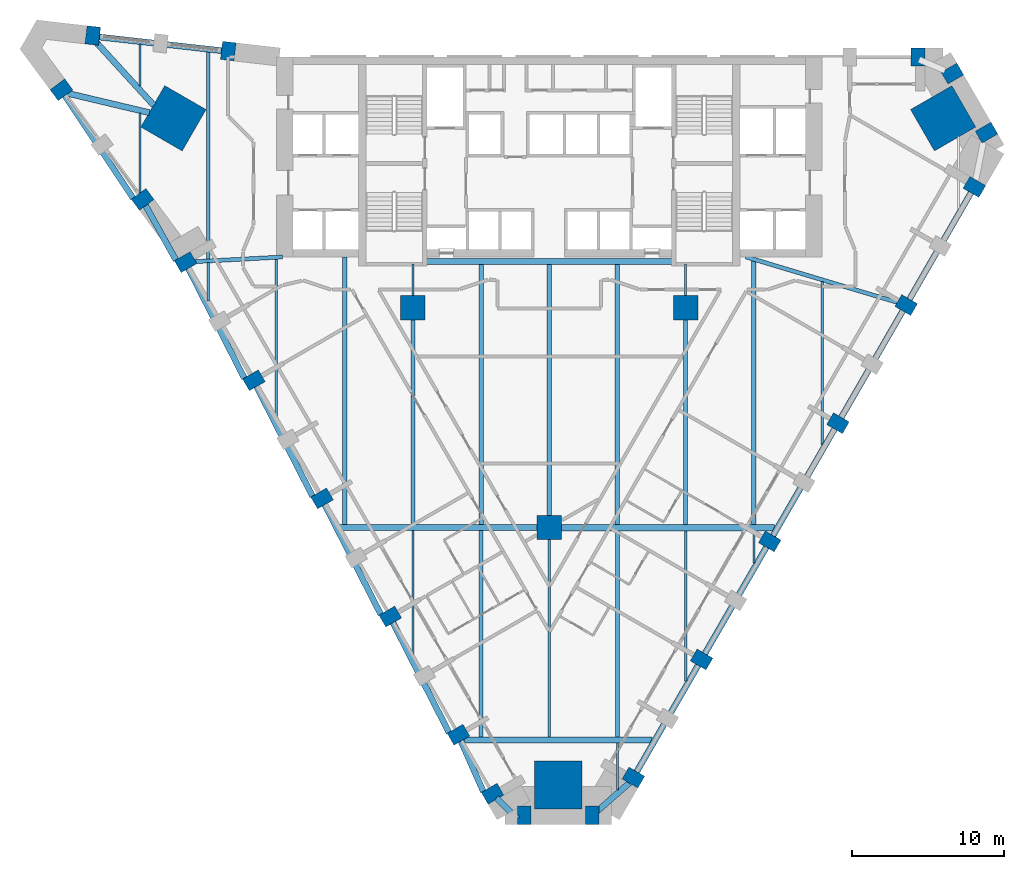
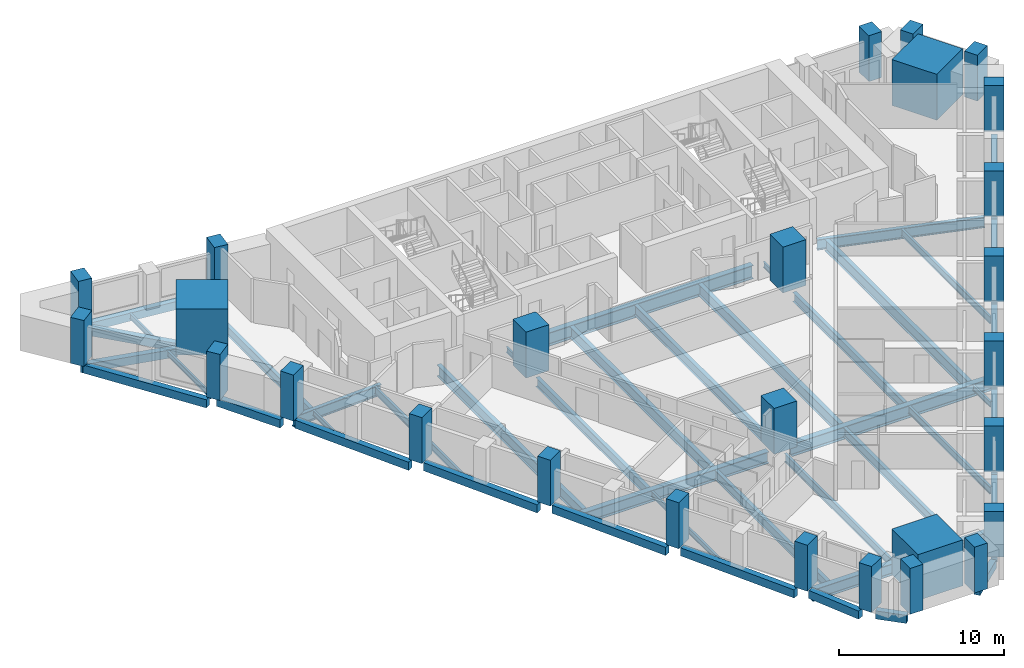
# One storey, part 1 of 10: 45 beams, 27 columns.
"""IFC4 building model written with IfcOpenShell, lengths in metres."""

import ifcopenshell
import ifcopenshell.guid

model = None  # the IFC model being written
_history = None  # IfcOwnerHistory: only IFC2X3 demands one
_inside = {}  # id of a spatial element -> (the spatial element, [elements in it])
_under = {}  # id of a project, library or spatial element -> (it, [spatial elements below it])
_declared = {}  # id of a project -> (the project, [libraries it declares])
_typed = {}  # id of a type object -> (the type object, [elements of that type])
_made_of = {}  # id of a material, layer set ... -> (it, [elements and type objects made of it])


def new_model(schema):
    """Start an empty IFC model of exactly this schema.

    Asked for "IFC4X3", IfcOpenShell would pick the latest addendum, in which some entities
    have other attributes; the version numbers below select the first issue.
    IFC2X3 requires an IfcOwnerHistory on every rooted entity: one is made here for all.
    """
    global model, _history
    if schema == "IFC4X3":
        model = ifcopenshell.file(schema_version=(4, 3, 0, 0))
    else:
        model = ifcopenshell.file(schema=schema)
    _inside.clear()
    _under.clear()
    _declared.clear()
    _typed.clear()
    _made_of.clear()
    _history = None
    if model.schema == "IFC2X3":
        org = make("IfcOrganization", Name="unknown")
        user = make(
            "IfcPersonAndOrganization",
            ThePerson=make("IfcPerson", FamilyName="unknown"),
            TheOrganization=org,
        )
        app = make(
            "IfcApplication",
            ApplicationDeveloper=org,
            Version="unknown",
            ApplicationFullName="unknown",
            ApplicationIdentifier="unknown",
        )
        _history = make(
            "IfcOwnerHistory",
            OwningUser=user,
            OwningApplication=app,
            ChangeAction="ADDED",
            CreationDate=0,
        )
    return model


def make(cls, **values):
    """One entity of the class cls with the attributes given. An attribute that is None is left unset."""
    return model.create_entity(
        cls, **{name: value for name, value in values.items() if value is not None}
    )


def rooted(cls, **values):
    """An entity with a GlobalId (a new one), such as an element, a storey or a relation."""
    return make(cls, GlobalId=ifcopenshell.guid.new(), OwnerHistory=_history, **values)


def si_unit(unit_type, name, prefix=None):
    """IfcSIUnit, for example si_unit("LENGTHUNIT", "METRE", prefix="MILLI")."""
    return make("IfcSIUnit", UnitType=unit_type, Prefix=prefix, Name=name)


def assignment(units):
    """IfcUnitAssignment: the units of a project."""
    return None if units is None else make("IfcUnitAssignment", Units=units)


def point(xyz):
    """IfcCartesianPoint."""
    return None if xyz is None else make("IfcCartesianPoint", Coordinates=xyz)


def direction(xyz):
    """IfcDirection."""
    return None if xyz is None else make("IfcDirection", DirectionRatios=xyz)


def frame(location, z_axis=None, x_axis=None):
    """IfcAxis2Placement3D, a coordinate frame: its origin and axes. An axis left out is left unset."""
    return make(
        "IfcAxis2Placement3D",
        Location=point(location),
        Axis=direction(z_axis),
        RefDirection=direction(x_axis),
    )


def frame_2d(location, x_axis=None):
    """IfcAxis2Placement2D, a coordinate frame in the plane: its origin and x axis."""
    return make(
        "IfcAxis2Placement2D", Location=point(location), RefDirection=direction(x_axis)
    )


def origin():
    """The frame at (0, 0, 0) with its axes left unset."""
    return frame((0.0, 0.0, 0.0))


def origin_2d():
    """The frame at (0, 0) in the plane with its x axis left unset."""
    return frame_2d((0.0, 0.0))


def place(relative_to, where):
    """IfcLocalPlacement: puts the frame where relative to a parent placement (None: the world)."""
    return make(
        "IfcLocalPlacement", PlacementRelTo=relative_to, RelativePlacement=where
    )


def context(
    kind, dimensions, precision=None, world=None, true_north=None, identifier=None
):
    """IfcGeometricRepresentationContext, for example the 3D "Model" context."""
    return make(
        "IfcGeometricRepresentationContext",
        ContextIdentifier=identifier,
        ContextType=kind,
        CoordinateSpaceDimension=dimensions,
        Precision=precision,
        WorldCoordinateSystem=world,
        TrueNorth=true_north,
    )


def subcontext(parent, identifier, kind, view, scale=None):
    """IfcGeometricRepresentationSubContext, for example "Body" below "Model"."""
    return make(
        "IfcGeometricRepresentationSubContext",
        ContextIdentifier=identifier,
        ContextType=kind,
        ParentContext=parent,
        TargetScale=scale,
        TargetView=view,
    )


def project(units=None, contexts=None):
    """IfcProject with its units and contexts."""
    return rooted(
        "IfcProject",
        Name="project",
        RepresentationContexts=contexts,
        UnitsInContext=assignment(units),
    )


def spatial(cls, under=None, at=None, **own):
    """A site, building, storey or space (cls), placed at a placement, below another one or the project."""
    s = rooted(cls, ObjectPlacement=at, **own)
    if under is not None:
        _under.setdefault(under.id(), (under, []))[1].append(s)
    return s


def profile(cls, at=None, kind="AREA", **sizes):
    """A parametric profile (cls). Its sizes go by their IFC names, for example OverallWidth=200.0."""
    return make(cls, ProfileType=kind, Position=at, **sizes)


def rectangle(**sizes):
    """IfcRectangleProfileDef."""
    return profile("IfcRectangleProfileDef", **sizes)


def i_section(**sizes):
    """IfcIShapeProfileDef."""
    return profile("IfcIShapeProfileDef", **sizes)


def extrude(swept, where, along, depth):
    """IfcExtrudedAreaSolid: the profile swept, set in the frame where, extruded along a direction by depth."""
    return make(
        "IfcExtrudedAreaSolid",
        SweptArea=swept,
        Position=where,
        ExtrudedDirection=direction(along),
        Depth=depth,
    )


def shape(context_of_items, identifier, shape_type, items):
    """IfcShapeRepresentation: the items that make up one representation, for example the "Body"."""
    return make(
        "IfcShapeRepresentation",
        ContextOfItems=context_of_items,
        RepresentationIdentifier=identifier,
        RepresentationType=shape_type,
        Items=items,
    )


def material(Name=None, Category=None):
    """IfcMaterial."""
    return make("IfcMaterial", Name=Name, Category=Category)


def material_profile(
    of_material, cross_section, Name=None, Category=None, Priority=None
):
    """IfcMaterialProfile: a cross section and its material."""
    return make(
        "IfcMaterialProfile",
        Name=Name,
        Material=of_material,
        Profile=cross_section,
        Priority=Priority,
        Category=Category,
    )


def profile_set(profiles, Name=None, composite=None):
    """IfcMaterialProfileSet."""
    return make(
        "IfcMaterialProfileSet",
        Name=Name,
        MaterialProfiles=profiles,
        CompositeProfile=composite,
    )


def made_of(thing, what):
    """Note that an element or type object is made of a material, layer set ...; save() writes the relation."""
    if what is not None:
        _made_of.setdefault(what.id(), (what, []))[1].append(thing)
    return thing


def type_object(cls, material=None, **own):
    """A type object (cls), such as IfcWallType, which elements share."""
    return made_of(rooted(cls, **own), material)


def element(
    cls,
    number,
    at=None,
    inside=None,
    cuts=None,
    type_object=None,
    material=None,
    context=None,
    identifier="Body",
    shape_type=None,
    held_by="IfcProductDefinitionShape",
    body=None,
    shapes=None,
    **own,
):
    """One element of the class cls, such as IfcWall. Its Tag is "e" and its number.

    at: its placement. inside: the storey or other place that contains it. cuts: it is an
    opening in that element (IfcRelVoidsElement). A single representation is given by context,
    identifier, shape_type and body (its items); several are given by shapes. held_by: the class
    of the entity that holds the representations. save() writes the other relations.
    """
    e = rooted(cls, Tag="e%d" % number, ObjectPlacement=at, **own)
    if body is not None:
        shapes = [shape(context, identifier, shape_type, body)]
    if shapes is not None:
        e.Representation = make(held_by, Representations=shapes)
    if inside is not None:
        _inside.setdefault(inside.id(), (inside, []))[1].append(e)
    if cuts is not None:
        rooted(
            "IfcRelVoidsElement", RelatingBuildingElement=cuts, RelatedOpeningElement=e
        )
    if type_object is not None:
        _typed.setdefault(type_object.id(), (type_object, []))[1].append(e)
    return made_of(e, material)


def aggregate(whole, parts):
    """IfcRelAggregates: a whole, such as a stair, and the parts it consists of."""
    return rooted("IfcRelAggregates", RelatingObject=whole, RelatedObjects=parts)


def save(model, path):
    """Write the relations noted so far, then the file.

    IfcRelAggregates (storeys below a building ...), IfcRelContainedInSpatialStructure (elements
    in a storey), IfcRelDefinesByType, IfcRelAssociatesMaterial and IfcRelDeclares: one each for
    every whole, place, type object, material and project.
    """
    for whole, parts in _under.values():
        aggregate(whole, parts)
    for where, things in _inside.values():
        rooted(
            "IfcRelContainedInSpatialStructure",
            RelatedElements=things,
            RelatingStructure=where,
        )
    for kind, things in _typed.values():
        rooted("IfcRelDefinesByType", RelatedObjects=things, RelatingType=kind)
    for what, things in _made_of.values():
        rooted("IfcRelAssociatesMaterial", RelatedObjects=things, RelatingMaterial=what)
    for by, libraries in _declared.values():
        rooted("IfcRelDeclares", RelatingContext=by, RelatedDefinitions=libraries)
    model.write(path)


model = new_model("IFC4")

# Units and contexts
model_context = context("Model", 3, precision=1e-05, world=origin(), true_north=direction((0.0, 1.0)))
body_context = subcontext(model_context, "Body", "Model", "MODEL_VIEW")
ifc_project = project(units=[si_unit("LENGTHUNIT", "METRE"), si_unit("AREAUNIT", "SQUARE_METRE"), si_unit("VOLUMEUNIT", "CUBIC_METRE"), si_unit("PLANEANGLEUNIT", "RADIAN"), si_unit("MASSUNIT", "GRAM", prefix="KILO")], contexts=[model_context])

# Site, building, storey
site_placement = place(None, origin())
site = spatial("IfcSite", under=ifc_project, at=site_placement, CompositionType="ELEMENT")
building_placement = place(site_placement, origin())
building = spatial("IfcBuilding", under=site, at=building_placement, Name="Calabash Gate Tower", CompositionType="ELEMENT")
storey_placement = place(building_placement, frame((0.0, 0.0, 69.800048828125)))
storey = spatial("IfcBuildingStorey", under=building, at=storey_placement, Name="L13", CompositionType="ELEMENT", Elevation=69.800048828125)

# Columns
ifc_material_1 = material(Name="Concrete C80/95", Category="concrete")
ifc_material_profile_1 = material_profile(ifc_material_1, rectangle(XDim=1.60009765625, YDim=1.60009765625, at=origin_2d()))
ifc_profile_set_1 = profile_set([ifc_material_profile_1], Name="Concrete C80/95")
column_type_1 = type_object("IfcColumnType", Name="Interior column RC 1600x1600 Concrete C80/95", PredefinedType="COLUMN", material=ifc_profile_set_1)
for number, where, z_axis, x_axis, name in (
    (1, (-9.0, 2.5, 0.0), (0.0, 0.0, 1.0), (1.0, 0.0, 0.0), "Interior column L13 I0"),
    (2, (9.0, 2.5, 0.0), (0.0, 0.0, 1.0), (1.0, 0.0, 0.0), "Interior column L13 I1"),
    (3, (0.0, -12.0, 0.0), (0.0, 0.0, 1.0), (1.0, 0.0, 0.0), "Interior column L13 I2"),
):
    element("IfcColumn", number, at=place(storey_placement, frame(where, z_axis=z_axis, x_axis=x_axis)), inside=storey, type_object=column_type_1, Name=name, PredefinedType="COLUMN", context=body_context, shape_type="SweptSolid", body=[
        extrude(rectangle(XDim=1.60009765625, YDim=1.60009765625, at=origin_2d()), origin(), (0.0, 0.0, 1.0), 3.39990234375),
    ])
ifc_material_2 = material(Name="Concrete C80/95", Category="concrete")
ifc_material_profile_2 = material_profile(ifc_material_2, rectangle(XDim=3.14990234375, YDim=3.14990234375, at=origin_2d()))
ifc_profile_set_2 = profile_set([ifc_material_profile_2], Name="Concrete C80/95")
column_type_2 = type_object("IfcColumnType", Name="Mega column RC 3150x3150 Concrete C80/95", PredefinedType="COLUMN", material=ifc_profile_set_2)
for number, where, z_axis, x_axis, name in (
    (4, (-24.79296875, 15.00390625, 0.0), (0.0, 0.0, 1.0), (0.866025412511, -0.499999984885, 0.0), "Mega column L13 NW"),
    (5, (25.988037109375, 15.00390625, 0.0), (0.0, 0.0, 1.0), (-0.866025412511, -0.499999984885, 0.0), "Mega column L13 NE"),
    (6, (0.596923828125, -28.972900390625, 0.0), (0.0, 0.0, 1.0), (0.0, 1.0, 0.0), "Mega column L13 S"),
):
    element("IfcColumn", number, at=place(storey_placement, frame(where, z_axis=z_axis, x_axis=x_axis)), inside=storey, type_object=column_type_2, Name=name, PredefinedType="COLUMN", context=body_context, shape_type="SweptSolid", body=[
        extrude(rectangle(XDim=3.14990234375, YDim=3.14990234375, at=origin_2d()), origin(), (0.0, 0.0, 1.0), 3.39990234375),
    ])
ifc_material_3 = material(Name="Concrete C70/85", Category="concrete")
ifc_material_profile_3 = material_profile(ifc_material_3, rectangle(XDim=0.89990234375, YDim=1.199951171875, at=origin_2d()))
ifc_profile_set_3 = profile_set([ifc_material_profile_3], Name="Concrete C70/85")
column_type_3 = type_object("IfcColumnType", Name="Perimeter column RC 900x1200 Concrete C70/85", PredefinedType="COLUMN", material=ifc_profile_set_3)
for number, where, z_axis, x_axis, name in (
    (7, (-23.989013671875, 5.512939453125, 0.0), (0.0, 0.0, 1.0), (0.5, -0.866025403784, 0.0), "Perimeter column L13 P00"),
    (8, (-19.489013671875, -2.281982421875, 0.0), (0.0, 0.0, 1.0), (0.5, -0.866025403784, 0.0), "Perimeter column L13 P01"),
    (9, (-14.989013671875, -10.075927734375, 0.0), (0.0, 0.0, 1.0), (0.5, -0.866025403784, 0.0), "Perimeter column L13 P02"),
    (10, (-10.489013671875, -17.8701171875, 0.0), (0.0, 0.0, 1.0), (0.5, -0.866025403784, 0.0), "Perimeter column L13 P03"),
    (11, (-5.989013671875, -25.6640625, 0.0), (0.0, 0.0, 1.0), (0.5, -0.866025403784, 0.0), "Perimeter column L13 P04"),
    (12, (-3.739013671875, -29.56103515625, 0.0), (0.0, 0.0, 1.0), (0.5, -0.866025403784, 0.0), "Perimeter column L13 P05"),
    (13, (-1.653076171875, -30.97705078125, 0.0), (0.0, 0.0, 1.0), (1.0, 0.0, 0.0), "Perimeter column L13 P06"),
    (14, (2.846923828125, -30.97705078125, 0.0), (0.0, 0.0, 1.0), (1.0, 0.0, 0.0), "Perimeter column L13 P07"),
    (15, (5.548095703125, -28.492919921875, 0.0), (0.0, 0.0, 1.0), (0.5, 0.866025403784, 0.0), "Perimeter column L13 P08"),
    (16, (10.048095703125, -20.700927734375, 0.0), (0.0, 0.0, 1.0), (0.5, 0.866025403784, 0.0), "Perimeter column L13 P09"),
    (17, (14.548095703125, -12.906982421875, 0.0), (0.0, 0.0, 1.0), (0.5, 0.866025403784, 0.0), "Perimeter column L13 P10"),
    (18, (19.048095703125, -5.112060546875, 0.0), (0.0, 0.0, 1.0), (0.5, 0.866025403784, 0.0), "Perimeter column L13 P11"),
    (19, (23.548095703125, 2.681884765625, 0.0), (0.0, 0.0, 1.0), (0.5, 0.866025403784, 0.0), "Perimeter column L13 P12"),
    (20, (28.048095703125, 10.47607421875, 0.0), (0.0, 0.0, 1.0), (0.5, 0.866025403784, 0.0), "Perimeter column L13 P13"),
    (21, (28.846923828125, 14.056884765625, 0.0), (0.0, 0.0, 1.0), (-0.5, 0.866025403784, 0.0), "Perimeter column L13 P14"),
    (22, (26.596923828125, 17.9541015625, 0.0), (0.0, 0.0, 1.0), (-0.5, 0.866025403784, 0.0), "Perimeter column L13 P15"),
    (23, (24.327880859375, 19.052978515625, 0.0), (0.0, 0.0, 1.0), (-1.0, 0.0, 0.0), "Perimeter column L13 P16"),
    (24, (-21.174072265625, 19.43798828125, 0.0), (0.0, 0.0, 1.0), (-0.993506319736, 0.113776942504, 0.0), "Perimeter column L13 P17"),
    (25, (-30.113037109375, 20.4619140625, 0.0), (0.0, 0.0, 1.0), (-0.993506319736, 0.113776942504, 0.0), "Perimeter column L13 P18"),
    (26, (-32.181884765625, 16.883056640625, 0.0), (0.0, 0.0, 1.0), (0.595286896465, -0.80351323007, 0.0), "Perimeter column L13 P19"),
    (27, (-26.823974609375, 9.65087890625, 0.0), (0.0, 0.0, 1.0), (0.595286896465, -0.80351323007, 0.0), "Perimeter column L13 P20"),
):
    element("IfcColumn", number, at=place(storey_placement, frame(where, z_axis=z_axis, x_axis=x_axis)), inside=storey, type_object=column_type_3, Name=name, PredefinedType="COLUMN", context=body_context, shape_type="SweptSolid", body=[
        extrude(rectangle(XDim=0.89990234375, YDim=1.199951171875, at=origin_2d()), origin(), (0.0, 0.0, 1.0), 3.39990234375),
    ])

# Beams
ifc_material_4 = material(Name="Concrete C60/75", Category="concrete")
ifc_material_profile_4 = material_profile(ifc_material_4, rectangle(XDim=0.39990234375, YDim=0.60009765625, at=origin_2d()))
ifc_profile_set_4 = profile_set([ifc_material_profile_4], Name="Concrete C60/75")
beam_type_1 = type_object("IfcBeamType", Name="Edge beam RC 400x600 Concrete C60/75", PredefinedType="BEAM", material=ifc_profile_set_4)
for number, where, z_axis, x_axis, name in (
    (28, (-19.343994140625, -2.623046875, -0.469970703125), (0.454454932148, -0.890769731551, 0.0), (0.890769731551, 0.454454932148, 0.0), "Edge beam L13 1"),
    (29, (-14.843994140625, -10.4169921875, -0.469970703125), (0.454454932148, -0.890769731551, 0.0), (0.890769731551, 0.454454932148, 0.0), "Edge beam L13 2"),
    (30, (-10.343994140625, -18.2109375, -0.469970703125), (0.454454932148, -0.890769731551, 0.0), (0.890769731551, 0.454454932148, 0.0), "Edge beam L13 3"),
):
    element("IfcBeam", number, at=place(storey_placement, frame(where, z_axis=z_axis, x_axis=x_axis)), inside=storey, type_object=beam_type_1, Name=name, PredefinedType="BEAM", context=body_context, shape_type="SweptSolid", body=[
        extrude(rectangle(XDim=0.39990234375, YDim=0.60009765625, at=origin_2d()), origin(), (0.0, 0.0, 1.0), 8.209716796875),
    ])
beam_1_placement = place(storey_placement, frame((-5.863037109375, -26.007080078125, -0.469970703125), z_axis=(0.406538543594, -0.913633631481, 0.0), x_axis=(0.913633631481, 0.406538543594, 0.0)))
element("IfcBeam", 31, at=beam_1_placement, inside=storey, type_object=beam_type_1, Name="Edge beam L13 4", PredefinedType="BEAM", context=body_context, shape_type="SweptSolid", body=[
    extrude(rectangle(XDim=0.39990234375, YDim=0.60009765625, at=origin_2d()), origin(), (0.0, 0.0, 1.0), 3.736572265625),
])
beam_2_placement = place(storey_placement, frame((-3.486083984375, -29.843017578125, -0.469970703125), z_axis=(0.714518251106, -0.699616801425, 0.0), x_axis=(0.699616801425, 0.714518251106, 0.0)))
element("IfcBeam", 32, at=beam_2_placement, inside=storey, type_object=beam_type_1, Name="Edge beam L13 5", PredefinedType="BEAM", context=body_context, shape_type="SweptSolid", body=[
    extrude(rectangle(XDim=0.39990234375, YDim=0.60009765625, at=origin_2d()), origin(), (0.0, 0.0, 1.0), 1.94970703125),
])
beam_3_placement = place(storey_placement, frame((2.97900390625, -30.867919921875, -0.469970703125), z_axis=(0.751719002131, 0.659483541747, 0.0), x_axis=(-0.659483541747, 0.751719002131, 0.0)))
element("IfcBeam", 33, at=beam_3_placement, inside=storey, type_object=beam_type_1, Name="Edge beam L13 6", PredefinedType="BEAM", context=body_context, shape_type="SweptSolid", body=[
    extrude(rectangle(XDim=0.39990234375, YDim=0.60009765625, at=origin_2d()), origin(), (0.0, 0.0, 1.0), 3.070556640625),
])
beam_4_placement = place(storey_placement, frame((5.616943359375, -28.3759765625, -0.469970703125), z_axis=(0.500025102917, 0.866010910123, 0.0), x_axis=(-0.866010910123, 0.500025102917, 0.0)))
element("IfcBeam", 34, at=beam_4_placement, inside=storey, type_object=beam_type_1, Name="Edge beam L13 7", PredefinedType="BEAM", context=body_context, shape_type="SweptSolid", body=[
    extrude(rectangle(XDim=0.39990234375, YDim=0.60009765625, at=origin_2d()), origin(), (0.0, 0.0, 1.0), 8.42578125),
])
beam_5_placement = place(storey_placement, frame((10.116943359375, -20.5810546875, -0.469970703125), z_axis=(0.499962374219, 0.86604712595, 0.0), x_axis=(-0.86604712595, 0.499962374219, 0.0)))
element("IfcBeam", 35, at=beam_5_placement, inside=storey, type_object=beam_type_1, Name="Edge beam L13 8", PredefinedType="BEAM", context=body_context, shape_type="SweptSolid", body=[
    extrude(rectangle(XDim=0.39990234375, YDim=0.60009765625, at=origin_2d()), origin(), (0.0, 0.0, 1.0), 8.427001953125),
])
beam_6_placement = place(storey_placement, frame((14.616943359375, -12.787109375, -0.469970703125), z_axis=(0.500012556128, 0.866018154379, 0.0), x_axis=(-0.866018154379, 0.500012556128, 0.0)))
element("IfcBeam", 36, at=beam_6_placement, inside=storey, type_object=beam_type_1, Name="Edge beam L13 9", PredefinedType="BEAM", context=body_context, shape_type="SweptSolid", body=[
    extrude(rectangle(XDim=0.39990234375, YDim=0.60009765625, at=origin_2d()), origin(), (0.0, 0.0, 1.0), 8.426025390625),
])
for number, where, z_axis, x_axis, name in (
    (37, (19.116943359375, -4.992919921875, -0.469970703125), (0.500025102917, 0.866010910123, 0.0), (-0.866010910123, 0.500025102917, 0.0), "Edge beam L13 10"),
    (38, (23.616943359375, 2.801025390625, -0.469970703125), (0.500025102917, 0.866010910123, 0.0), (-0.866010910123, 0.500025102917, 0.0), "Edge beam L13 11"),
):
    element("IfcBeam", number, at=place(storey_placement, frame(where, z_axis=z_axis, x_axis=x_axis)), inside=storey, type_object=beam_type_1, Name=name, PredefinedType="BEAM", context=body_context, shape_type="SweptSolid", body=[
        extrude(rectangle(XDim=0.39990234375, YDim=0.60009765625, at=origin_2d()), origin(), (0.0, 0.0, 1.0), 8.42578125),
    ])
beam_7_placement = place(storey_placement, frame((-21.60400390625, 19.466064453125, -0.469970703125), z_axis=(-0.99383590534, 0.110861144034, 0.0), x_axis=(-0.110861144034, -0.99383590534, 0.0)))
element("IfcBeam", 39, at=beam_7_placement, inside=storey, type_object=beam_type_1, Name="Edge beam L13 14", PredefinedType="BEAM", context=body_context, shape_type="SweptSolid", body=[
    extrude(rectangle(XDim=0.39990234375, YDim=0.60009765625, at=origin_2d()), origin(), (0.0, 0.0, 1.0), 8.731689453125),
])
beam_8_placement = place(storey_placement, frame((-30.27392578125, 20.43994140625, -0.469970703125), z_axis=(0.674455005986, -0.738315951947, 0.0), x_axis=(0.738315951947, 0.674455005986, 0.0)))
element("IfcBeam", 40, at=beam_8_placement, inside=storey, type_object=beam_type_1, Name="Edge beam L13 15", PredefinedType="BEAM", context=body_context, shape_type="SweptSolid", body=[
    extrude(rectangle(XDim=0.39990234375, YDim=0.60009765625, at=origin_2d()), origin(), (0.0, 0.0, 1.0), 6.204833984375),
])
beam_9_placement = place(storey_placement, frame((-26.37890625, 15.37109375, -0.469970703125), z_axis=(-0.972965084641, 0.230952254956, 0.0), x_axis=(-0.230952254956, -0.972965084641, 0.0)))
element("IfcBeam", 41, at=beam_9_placement, inside=storey, type_object=beam_type_1, Name="Edge beam L13 16", PredefinedType="BEAM", context=body_context, shape_type="SweptSolid", body=[
    extrude(rectangle(XDim=0.39990234375, YDim=0.60009765625, at=origin_2d()), origin(), (0.0, 0.0, 1.0), 6.009521484375),
])
beam_10_placement = place(storey_placement, frame((-32.1640625, 16.81103515625, -0.469970703125), z_axis=(0.554673741128, -0.832067930462, 0.0), x_axis=(0.832067930462, 0.554673741128, 0.0)))
element("IfcBeam", 42, at=beam_10_placement, inside=storey, type_object=beam_type_1, Name="Edge beam L13 17", PredefinedType="BEAM", context=body_context, shape_type="SweptSolid", body=[
    extrude(rectangle(XDim=0.39990234375, YDim=0.60009765625, at=origin_2d()), origin(), (0.0, 0.0, 1.0), 8.518798828125),
])
beam_11_placement = place(storey_placement, frame((-26.805908203125, 9.56396484375, -0.469970703125), z_axis=(0.486202249372, -0.873846309545, 0.0), x_axis=(0.873846309545, 0.486202249372, 0.0)))
element("IfcBeam", 43, at=beam_11_placement, inside=storey, type_object=beam_type_1, Name="Edge beam L13 18", PredefinedType="BEAM", context=body_context, shape_type="SweptSolid", body=[
    extrude(rectangle(XDim=0.39990234375, YDim=0.60009765625, at=origin_2d()), origin(), (0.0, 0.0, 1.0), 4.483642578125),
])
beam_12_placement = place(storey_placement, frame((-23.843994140625, 5.1708984375, -0.469970703125), z_axis=(0.454454932148, -0.890769731551, 0.0), x_axis=(0.890769731551, 0.454454932148, 0.0)))
element("IfcBeam", 44, at=beam_12_placement, inside=storey, type_object=beam_type_1, Name="Edge beam L13 19", PredefinedType="BEAM", context=body_context, shape_type="SweptSolid", body=[
    extrude(rectangle(XDim=0.39990234375, YDim=0.60009765625, at=origin_2d()), origin(), (0.0, 0.0, 1.0), 8.209716796875),
])
ifc_material_5 = material(Name="Steel ASTM A992 Gr50", Category="steel")
ifc_material_profile_5 = material_profile(ifc_material_5, i_section(OverallWidth=0.1396484375, OverallDepth=0.398681640625, WebThickness=0.00634765625, FlangeThickness=0.0087890625, FilletRadius=0.01025390625, at=origin_2d()))
ifc_profile_set_5 = profile_set([ifc_material_profile_5], Name="Steel ASTM A992 Gr50")
beam_type_2 = type_object("IfcBeamType", Name="Floor beam W16x26 ASTM A992 Gr50", PredefinedType="BEAM", material=ifc_profile_set_5)
beam_13_placement = place(storey_placement, frame((-27.0, 10.069091796875, -0.369140625), z_axis=(0.0, 1.0, 0.0), x_axis=(-1.0, 0.0, 0.0)))
element("IfcBeam", 45, at=beam_13_placement, inside=storey, type_object=beam_type_2, Name="Floor beam L13 1", PredefinedType="BEAM", context=body_context, shape_type="SweptSolid", body=[
    extrude(i_section(OverallWidth=0.1396484375, OverallDepth=0.398681640625, WebThickness=0.00634765625, FlangeThickness=0.0087890625, FilletRadius=0.01025390625, at=origin_2d()), origin(), (0.0, 0.0, 1.0), 5.267822265625),
])
beam_14_placement = place(storey_placement, frame((-27.0, 17.14111328125, -0.369140625), z_axis=(0.0, 1.0, 0.0), x_axis=(-1.0, 0.0, 0.0)))
element("IfcBeam", 46, at=beam_14_placement, inside=storey, type_object=beam_type_2, Name="Floor beam L13 2", PredefinedType="BEAM", context=body_context, shape_type="SweptSolid", body=[
    extrude(i_section(OverallWidth=0.1396484375, OverallDepth=0.398681640625, WebThickness=0.00634765625, FlangeThickness=0.0087890625, FilletRadius=0.01025390625, at=origin_2d()), origin(), (0.0, 0.0, 1.0), 2.755859375),
])
beam_15_placement = place(storey_placement, frame((-22.5, 2.9609375, -0.369140625), z_axis=(0.0, 1.0, 0.0), x_axis=(-1.0, 0.0, 0.0)))
element("IfcBeam", 47, at=beam_15_placement, inside=storey, type_object=beam_type_2, Name="Floor beam L13 3", PredefinedType="BEAM", context=body_context, shape_type="SweptSolid", body=[
    extrude(i_section(OverallWidth=0.1396484375, OverallDepth=0.398681640625, WebThickness=0.00634765625, FlangeThickness=0.0087890625, FilletRadius=0.01025390625, at=origin_2d()), origin(), (0.0, 0.0, 1.0), 2.52001953125),
])
beam_16_placement = place(storey_placement, frame((-9.0, -20.422119140625, -0.369140625), z_axis=(0.0, 1.0, 0.0), x_axis=(-1.0, 0.0, 0.0)))
element("IfcBeam", 48, at=beam_16_placement, inside=storey, type_object=beam_type_2, Name="Floor beam L13 7", PredefinedType="BEAM", context=body_context, shape_type="SweptSolid", body=[
    extrude(i_section(OverallWidth=0.1396484375, OverallDepth=0.398681640625, WebThickness=0.00634765625, FlangeThickness=0.0087890625, FilletRadius=0.01025390625, at=origin_2d()), origin(), (0.0, 0.0, 1.0), 8.22314453125),
])
beam_17_placement = place(storey_placement, frame((-9.0, 3.300048828125, -0.369140625), z_axis=(0.0, 1.0, 0.0), x_axis=(-1.0, 0.0, 0.0)))
element("IfcBeam", 49, at=beam_17_placement, inside=storey, type_object=beam_type_2, Name="Floor beam L13 9", PredefinedType="BEAM", context=body_context, shape_type="SweptSolid", body=[
    extrude(i_section(OverallWidth=0.1396484375, OverallDepth=0.398681640625, WebThickness=0.00634765625, FlangeThickness=0.0087890625, FilletRadius=0.01025390625, at=origin_2d()), origin(), (0.0, 0.0, 1.0), 2.10302734375),
])
beam_18_placement = place(storey_placement, frame((4.5, -29.301025390625, -0.369140625), z_axis=(0.0, 1.0, 0.0), x_axis=(-1.0, 0.0, 0.0)))
element("IfcBeam", 50, at=beam_18_placement, inside=storey, type_object=beam_type_2, Name="Floor beam L13 14", PredefinedType="BEAM", context=body_context, shape_type="SweptSolid", body=[
    extrude(i_section(OverallWidth=0.1396484375, OverallDepth=0.398681640625, WebThickness=0.00634765625, FlangeThickness=0.0087890625, FilletRadius=0.01025390625, at=origin_2d()), origin(), (0.0, 0.0, 1.0), 3.10205078125),
])
beam_19_placement = place(storey_placement, frame((9.0, 3.300048828125, -0.369140625), z_axis=(0.0, 1.0, 0.0), x_axis=(-1.0, 0.0, 0.0)))
element("IfcBeam", 51, at=beam_19_placement, inside=storey, type_object=beam_type_2, Name="Floor beam L13 19", PredefinedType="BEAM", context=body_context, shape_type="SweptSolid", body=[
    extrude(i_section(OverallWidth=0.1396484375, OverallDepth=0.398681640625, WebThickness=0.00634765625, FlangeThickness=0.0087890625, FilletRadius=0.01025390625, at=origin_2d()), origin(), (0.0, 0.0, 1.0), 2.10302734375),
])
beam_20_placement = place(storey_placement, frame((13.5, -14.333984375, -0.369140625), z_axis=(0.0, 1.0, 0.0), x_axis=(-1.0, 0.0, 0.0)))
element("IfcBeam", 52, at=beam_20_placement, inside=storey, type_object=beam_type_2, Name="Floor beam L13 20", PredefinedType="BEAM", context=body_context, shape_type="SweptSolid", body=[
    extrude(i_section(OverallWidth=0.1396484375, OverallDepth=0.398681640625, WebThickness=0.00634765625, FlangeThickness=0.0087890625, FilletRadius=0.01025390625, at=origin_2d()), origin(), (0.0, 0.0, 1.0), 2.1240234375),
])
ifc_material_6 = material(Name="Steel ASTM A992 Gr50", Category="steel")
ifc_material_profile_6 = material_profile(ifc_material_6, i_section(OverallWidth=0.166015625, OverallDepth=0.5283203125, WebThickness=0.009765625, FlangeThickness=0.013671875, FilletRadius=0.0126953125, at=origin_2d()))
ifc_profile_set_6 = profile_set([ifc_material_profile_6], Name="Steel ASTM A992 Gr50")
beam_type_3 = type_object("IfcBeamType", Name="Floor beam W21x50 ASTM A992 Gr50", PredefinedType="BEAM", material=ifc_profile_set_6)
beam_21_placement = place(storey_placement, frame((-18.0, -4.8330078125, -0.43408203125), z_axis=(0.0, 1.0, 0.0), x_axis=(-1.0, 0.0, 0.0)))
element("IfcBeam", 53, at=beam_21_placement, inside=storey, type_object=beam_type_3, Name="Floor beam L13 5", PredefinedType="BEAM", context=body_context, shape_type="SweptSolid", body=[
    extrude(i_section(OverallWidth=0.166015625, OverallDepth=0.5283203125, WebThickness=0.009765625, FlangeThickness=0.013671875, FilletRadius=0.0126953125, at=origin_2d()), origin(), (0.0, 0.0, 1.0), 10.553955078125),
])
beam_22_placement = place(storey_placement, frame((9.0, -22.12890625, -0.43408203125), z_axis=(0.0, 1.0, 0.0), x_axis=(-1.0, 0.0, 0.0)))
element("IfcBeam", 54, at=beam_22_placement, inside=storey, type_object=beam_type_3, Name="Floor beam L13 17", PredefinedType="BEAM", context=body_context, shape_type="SweptSolid", body=[
    extrude(i_section(OverallWidth=0.166015625, OverallDepth=0.5283203125, WebThickness=0.009765625, FlangeThickness=0.013671875, FilletRadius=0.0126953125, at=origin_2d()), origin(), (0.0, 0.0, 1.0), 9.9189453125),
])
beam_23_placement = place(storey_placement, frame((18.0, -6.5400390625, -0.43408203125), z_axis=(0.0, 1.0, 0.0), x_axis=(-1.0, 0.0, 0.0)))
element("IfcBeam", 55, at=beam_23_placement, inside=storey, type_object=beam_type_3, Name="Floor beam L13 22", PredefinedType="BEAM", context=body_context, shape_type="SweptSolid", body=[
    extrude(i_section(OverallWidth=0.166015625, OverallDepth=0.5283203125, WebThickness=0.009765625, FlangeThickness=0.013671875, FilletRadius=0.0126953125, at=origin_2d()), origin(), (0.0, 0.0, 1.0), 10.77197265625),
])
ifc_material_7 = material(Name="Steel ASTM A992 Gr50", Category="steel")
ifc_material_profile_7 = material_profile(ifc_material_7, i_section(OverallWidth=0.1787109375, OverallDepth=0.60205078125, WebThickness=0.010986328125, FlangeThickness=0.014892578125, FilletRadius=0.0126953125, at=origin_2d()))
ifc_profile_set_7 = profile_set([ifc_material_profile_7], Name="Steel ASTM A992 Gr50")
beam_type_4 = type_object("IfcBeamType", Name="Floor beam W24x62 ASTM A992 Gr50", PredefinedType="BEAM", material=ifc_profile_set_7)
beam_24_placement = place(storey_placement, frame((0.0, -25.801025390625, -0.470947265625), z_axis=(0.0, 1.0, 0.0), x_axis=(-1.0, 0.0, 0.0)))
element("IfcBeam", 56, at=beam_24_placement, inside=storey, type_object=beam_type_4, Name="Floor beam L13 12", PredefinedType="BEAM", context=body_context, shape_type="SweptSolid", body=[
    extrude(i_section(OverallWidth=0.1787109375, OverallDepth=0.60205078125, WebThickness=0.010986328125, FlangeThickness=0.014892578125, FilletRadius=0.0126953125, at=origin_2d()), origin(), (0.0, 0.0, 1.0), 13.0009765625),
])
ifc_material_8 = material(Name="Steel ASTM A992 Gr50", Category="steel")
ifc_material_profile_8 = material_profile(ifc_material_8, i_section(OverallWidth=0.25390625, OverallDepth=0.67822265625, WebThickness=0.01171875, FlangeThickness=0.016357421875, FilletRadius=0.01513671875, at=origin_2d()))
ifc_profile_set_8 = profile_set([ifc_material_profile_8], Name="Steel ASTM A992 Gr50")
beam_type_5 = type_object("IfcBeamType", Name="Floor beam W27x84 ASTM A992 Gr50", PredefinedType="BEAM", material=ifc_profile_set_8)
beam_25_placement = place(storey_placement, frame((-22.5, 5.7041015625, -0.509033203125), z_axis=(0.0, 1.0, 0.0), x_axis=(-1.0, 0.0, 0.0)))
element("IfcBeam", 57, at=beam_25_placement, inside=storey, type_object=beam_type_5, Name="Floor beam L13 4", PredefinedType="BEAM", context=body_context, shape_type="SweptSolid", body=[
    extrude(i_section(OverallWidth=0.25390625, OverallDepth=0.67822265625, WebThickness=0.01171875, FlangeThickness=0.016357421875, FilletRadius=0.01513671875, at=origin_2d()), origin(), (0.0, 0.0, 1.0), 13.6748046875),
])
beam_26_placement = place(storey_placement, frame((-9.0, -11.801025390625, -0.509033203125), z_axis=(0.0, 1.0, 0.0), x_axis=(-1.0, 0.0, 0.0)))
element("IfcBeam", 58, at=beam_26_placement, inside=storey, type_object=beam_type_5, Name="Floor beam L13 8", PredefinedType="BEAM", context=body_context, shape_type="SweptSolid", body=[
    extrude(i_section(OverallWidth=0.25390625, OverallDepth=0.67822265625, WebThickness=0.01171875, FlangeThickness=0.016357421875, FilletRadius=0.01513671875, at=origin_2d()), origin(), (0.0, 0.0, 1.0), 13.5009765625),
])
beam_27_placement = place(storey_placement, frame((-4.5, -25.801025390625, -0.509033203125), z_axis=(0.0, 1.0, 0.0), x_axis=(-1.0, 0.0, 0.0)))
element("IfcBeam", 59, at=beam_27_placement, inside=storey, type_object=beam_type_5, Name="Floor beam L13 10", PredefinedType="BEAM", context=body_context, shape_type="SweptSolid", body=[
    extrude(i_section(OverallWidth=0.25390625, OverallDepth=0.67822265625, WebThickness=0.01171875, FlangeThickness=0.016357421875, FilletRadius=0.01513671875, at=origin_2d()), origin(), (0.0, 0.0, 1.0), 13.60205078125),
])
beam_28_placement = place(storey_placement, frame((4.5, -25.801025390625, -0.509033203125), z_axis=(0.0, 1.0, 0.0), x_axis=(-1.0, 0.0, 0.0)))
element("IfcBeam", 60, at=beam_28_placement, inside=storey, type_object=beam_type_5, Name="Floor beam L13 15", PredefinedType="BEAM", context=body_context, shape_type="SweptSolid", body=[
    extrude(i_section(OverallWidth=0.25390625, OverallDepth=0.67822265625, WebThickness=0.01171875, FlangeThickness=0.016357421875, FilletRadius=0.01513671875, at=origin_2d()), origin(), (0.0, 0.0, 1.0), 13.591064453125),
])
beam_29_placement = place(storey_placement, frame((9.0, -11.7900390625, -0.509033203125), z_axis=(0.0, 1.0, 0.0), x_axis=(-1.0, 0.0, 0.0)))
element("IfcBeam", 61, at=beam_29_placement, inside=storey, type_object=beam_type_5, Name="Floor beam L13 18", PredefinedType="BEAM", context=body_context, shape_type="SweptSolid", body=[
    extrude(i_section(OverallWidth=0.25390625, OverallDepth=0.67822265625, WebThickness=0.01171875, FlangeThickness=0.016357421875, FilletRadius=0.01513671875, at=origin_2d()), origin(), (0.0, 0.0, 1.0), 13.489990234375),
])
ifc_material_9 = material(Name="Steel ASTM A992 Gr50", Category="steel")
ifc_material_profile_9 = material_profile(ifc_material_9, i_section(OverallWidth=0.2666015625, OverallDepth=0.7568359375, WebThickness=0.013916015625, FlangeThickness=0.019287109375, FilletRadius=0.0166015625, at=origin_2d()))
ifc_profile_set_9 = profile_set([ifc_material_profile_9], Name="Steel ASTM A992 Gr50")
beam_type_6 = type_object("IfcBeamType", Name="Floor beam W30x108 ASTM A992 Gr50", PredefinedType="BEAM", material=ifc_profile_set_9)
beam_30_placement = place(storey_placement, frame((0.0, -11.199951171875, -0.548095703125), z_axis=(0.0, 1.0, 0.0), x_axis=(-1.0, 0.0, 0.0)))
element("IfcBeam", 62, at=beam_30_placement, inside=storey, type_object=beam_type_6, Name="Floor beam L13 13", PredefinedType="BEAM", context=body_context, shape_type="SweptSolid", body=[
    extrude(i_section(OverallWidth=0.2666015625, OverallDepth=0.7568359375, WebThickness=0.013916015625, FlangeThickness=0.019287109375, FilletRadius=0.0166015625, at=origin_2d()), origin(), (0.0, 0.0, 1.0), 16.552001953125),
])
ifc_material_10 = material(Name="Steel ASTM A992 Gr50", Category="steel")
ifc_material_profile_10 = material_profile(ifc_material_10, i_section(OverallWidth=0.2919921875, OverallDepth=0.845703125, WebThickness=0.015380859375, FlangeThickness=0.0244140625, FilletRadius=0.017822265625, at=origin_2d()))
ifc_profile_set_10 = profile_set([ifc_material_profile_10], Name="Steel ASTM A992 Gr50")
beam_type_7 = type_object("IfcBeamType", Name="Floor beam W33x141 ASTM A992 Gr50", PredefinedType="BEAM", material=ifc_profile_set_10)
beam_31_placement = place(storey_placement, frame((-13.5, -11.801025390625, -0.593017578125), z_axis=(0.0, 1.0, 0.0), x_axis=(-1.0, 0.0, 0.0)))
element("IfcBeam", 63, at=beam_31_placement, inside=storey, type_object=beam_type_7, Name="Floor beam L13 6", PredefinedType="BEAM", context=body_context, shape_type="SweptSolid", body=[
    extrude(i_section(OverallWidth=0.2919921875, OverallDepth=0.845703125, WebThickness=0.015380859375, FlangeThickness=0.0244140625, FilletRadius=0.017822265625, at=origin_2d()), origin(), (0.0, 0.0, 1.0), 17.654052734375),
])
beam_32_placement = place(storey_placement, frame((-4.5, -11.801025390625, -0.593017578125), z_axis=(0.0, 1.0, 0.0), x_axis=(-1.0, 0.0, 0.0)))
element("IfcBeam", 64, at=beam_32_placement, inside=storey, type_object=beam_type_7, Name="Floor beam L13 11", PredefinedType="BEAM", context=body_context, shape_type="SweptSolid", body=[
    extrude(i_section(OverallWidth=0.2919921875, OverallDepth=0.845703125, WebThickness=0.015380859375, FlangeThickness=0.0244140625, FilletRadius=0.017822265625, at=origin_2d()), origin(), (0.0, 0.0, 1.0), 17.153076171875),
])
beam_33_placement = place(storey_placement, frame((4.5, -11.7900390625, -0.593017578125), z_axis=(0.0, 1.0, 0.0), x_axis=(-1.0, 0.0, 0.0)))
element("IfcBeam", 65, at=beam_33_placement, inside=storey, type_object=beam_type_7, Name="Floor beam L13 16", PredefinedType="BEAM", context=body_context, shape_type="SweptSolid", body=[
    extrude(i_section(OverallWidth=0.2919921875, OverallDepth=0.845703125, WebThickness=0.015380859375, FlangeThickness=0.0244140625, FilletRadius=0.017822265625, at=origin_2d()), origin(), (0.0, 0.0, 1.0), 17.14208984375),
])
beam_34_placement = place(storey_placement, frame((13.5, -11.7900390625, -0.593017578125), z_axis=(0.0, 1.0, 0.0), x_axis=(-1.0, 0.0, 0.0)))
element("IfcBeam", 66, at=beam_34_placement, inside=storey, type_object=beam_type_7, Name="Floor beam L13 21", PredefinedType="BEAM", context=body_context, shape_type="SweptSolid", body=[
    extrude(i_section(OverallWidth=0.2919921875, OverallDepth=0.845703125, WebThickness=0.015380859375, FlangeThickness=0.0244140625, FilletRadius=0.017822265625, at=origin_2d()), origin(), (0.0, 0.0, 1.0), 17.3740234375),
])
ifc_material_11 = material(Name="Steel ASTM A992 Gr50", Category="steel")
ifc_material_profile_11 = material_profile(ifc_material_11, i_section(OverallWidth=0.2666015625, OverallDepth=0.77978515625, WebThickness=0.0166015625, FlangeThickness=0.030029296875, FilletRadius=0.0166015625, at=origin_2d()))
ifc_profile_set_11 = profile_set([ifc_material_profile_11], Name="Steel ASTM A992 Gr50")
beam_type_8 = type_object("IfcBeamType", Name="Girder W30x148 ASTM A992 Gr50", PredefinedType="BEAM", material=ifc_profile_set_11)
beam_35_placement = place(storey_placement, frame((-23.907958984375, 5.51708984375, -0.56005859375), z_axis=(0.998581570608, 0.053243279787, 0.0), x_axis=(-0.053243279787, 0.998581570608, 0.0)))
element("IfcBeam", 67, at=beam_35_placement, inside=storey, type_object=beam_type_8, Name="Girder L13 2", PredefinedType="BEAM", context=body_context, shape_type="SweptSolid", body=[
    extrude(i_section(OverallWidth=0.2666015625, OverallDepth=0.77978515625, WebThickness=0.0166015625, FlangeThickness=0.030029296875, FilletRadius=0.0166015625, at=origin_2d()), origin(), (0.0, 0.0, 1.0), 6.327880859375),
])
beam_36_placement = place(storey_placement, frame((22.97900390625, 2.85302734375, -0.56005859375), z_axis=(-0.957675094777, 0.287851372836, 0.0), x_axis=(-0.287851372836, -0.957675094777, 0.0)))
element("IfcBeam", 68, at=beam_36_placement, inside=storey, type_object=beam_type_8, Name="Girder L13 3", PredefinedType="BEAM", context=body_context, shape_type="SweptSolid", body=[
    extrude(i_section(OverallWidth=0.2666015625, OverallDepth=0.77978515625, WebThickness=0.0166015625, FlangeThickness=0.030029296875, FilletRadius=0.0166015625, at=origin_2d()), origin(), (0.0, 0.0, 1.0), 10.453369140625),
])
ifc_material_12 = material(Name="Steel ASTM A992 Gr50", Category="steel")
ifc_material_profile_12 = material_profile(ifc_material_12, i_section(OverallWidth=0.398681640625, OverallDepth=0.85595703125, WebThickness=0.018310546875, FlangeThickness=0.029296875, FilletRadius=0.02001953125, at=origin_2d()))
ifc_profile_set_12 = profile_set([ifc_material_profile_12], Name="Steel ASTM A992 Gr50")
beam_type_9 = type_object("IfcBeamType", Name="Girder W33x201 ASTM A992 Gr50", PredefinedType="BEAM", material=ifc_profile_set_12)
beam_37_placement = place(storey_placement, frame((-13.8291015625, -12.0, -0.59814453125), z_axis=(1.0, 0.0, 0.0), x_axis=(0.0, 1.0, 0.0)))
element("IfcBeam", 69, at=beam_37_placement, inside=storey, type_object=beam_type_9, Name="Girder L13 4", PredefinedType="BEAM", context=body_context, shape_type="SweptSolid", body=[
    extrude(i_section(OverallWidth=0.398681640625, OverallDepth=0.85595703125, WebThickness=0.018310546875, FlangeThickness=0.029296875, FilletRadius=0.02001953125, at=origin_2d()), origin(), (0.0, 0.0, 1.0), 13.029052734375),
])
beam_38_placement = place(storey_placement, frame((-5.81591796875, -26.0, -0.59814453125), z_axis=(1.0, 0.0, 0.0), x_axis=(0.0, 1.0, 0.0)))
element("IfcBeam", 70, at=beam_38_placement, inside=storey, type_object=beam_type_9, Name="Girder L13 6", PredefinedType="BEAM", context=body_context, shape_type="SweptSolid", body=[
    extrude(i_section(OverallWidth=0.398681640625, OverallDepth=0.85595703125, WebThickness=0.018310546875, FlangeThickness=0.029296875, FilletRadius=0.02001953125, at=origin_2d()), origin(), (0.0, 0.0, 1.0), 12.594970703125),
])
ifc_material_13 = material(Name="Steel ASTM A992 Gr50", Category="steel")
ifc_material_profile_13 = material_profile(ifc_material_13, i_section(OverallWidth=0.419189453125, OverallDepth=0.927001953125, WebThickness=0.019287109375, FlangeThickness=0.031982421875, FilletRadius=0.024169921875, at=origin_2d()))
ifc_profile_set_13 = profile_set([ifc_material_profile_13], Name="Steel ASTM A992 Gr50")
beam_type_10 = type_object("IfcBeamType", Name="Girder W36x231 ASTM A992 Gr50", PredefinedType="BEAM", material=ifc_profile_set_13)
beam_39_placement = place(storey_placement, frame((0.800048828125, -12.0, -0.634033203125), z_axis=(1.0, 0.0, 0.0), x_axis=(0.0, 1.0, 0.0)))
element("IfcBeam", 71, at=beam_39_placement, inside=storey, type_object=beam_type_10, Name="Girder L13 5", PredefinedType="BEAM", context=body_context, shape_type="SweptSolid", body=[
    extrude(i_section(OverallWidth=0.419189453125, OverallDepth=0.927001953125, WebThickness=0.019287109375, FlangeThickness=0.031982421875, FilletRadius=0.024169921875, at=origin_2d()), origin(), (0.0, 0.0, 1.0), 14.06201171875),
])
ifc_material_14 = material(Name="Steel ASTM A992 Gr50", Category="steel")
ifc_material_profile_14 = material_profile(ifc_material_14, i_section(OverallWidth=0.4013671875, OverallDepth=1.000732421875, WebThickness=0.01904296875, FlangeThickness=0.0361328125, FilletRadius=0.030029296875, at=origin_2d()))
ifc_profile_set_14 = profile_set([ifc_material_profile_14], Name="Steel ASTM A992 Gr50")
beam_type_11 = type_object("IfcBeamType", Name="Girder W40x249 ASTM A992 Gr50", PredefinedType="BEAM", material=ifc_profile_set_14)
beam_40_placement = place(storey_placement, frame((-8.25, 5.552978515625, -0.670166015625), z_axis=(1.0, 0.0, 0.0), x_axis=(0.0, 1.0, 0.0)))
element("IfcBeam", 72, at=beam_40_placement, inside=storey, type_object=beam_type_11, Name="Girder L13 1", PredefinedType="BEAM", context=body_context, shape_type="SweptSolid", body=[
    extrude(i_section(OverallWidth=0.4013671875, OverallDepth=1.000732421875, WebThickness=0.01904296875, FlangeThickness=0.0361328125, FilletRadius=0.030029296875, at=origin_2d()), origin(), (0.0, 0.0, 1.0), 16.5),
])

save(model, "model.ifc")
